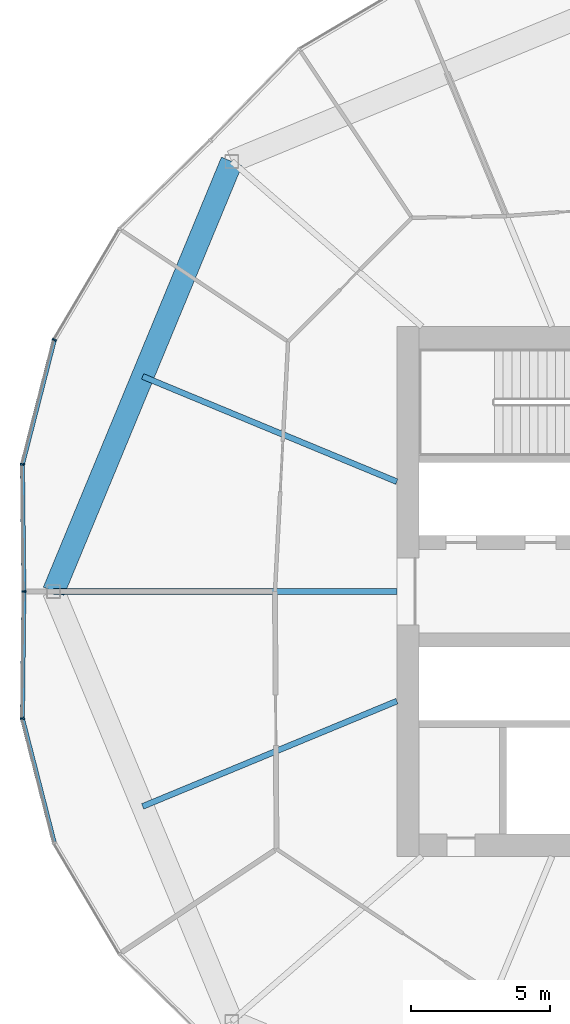
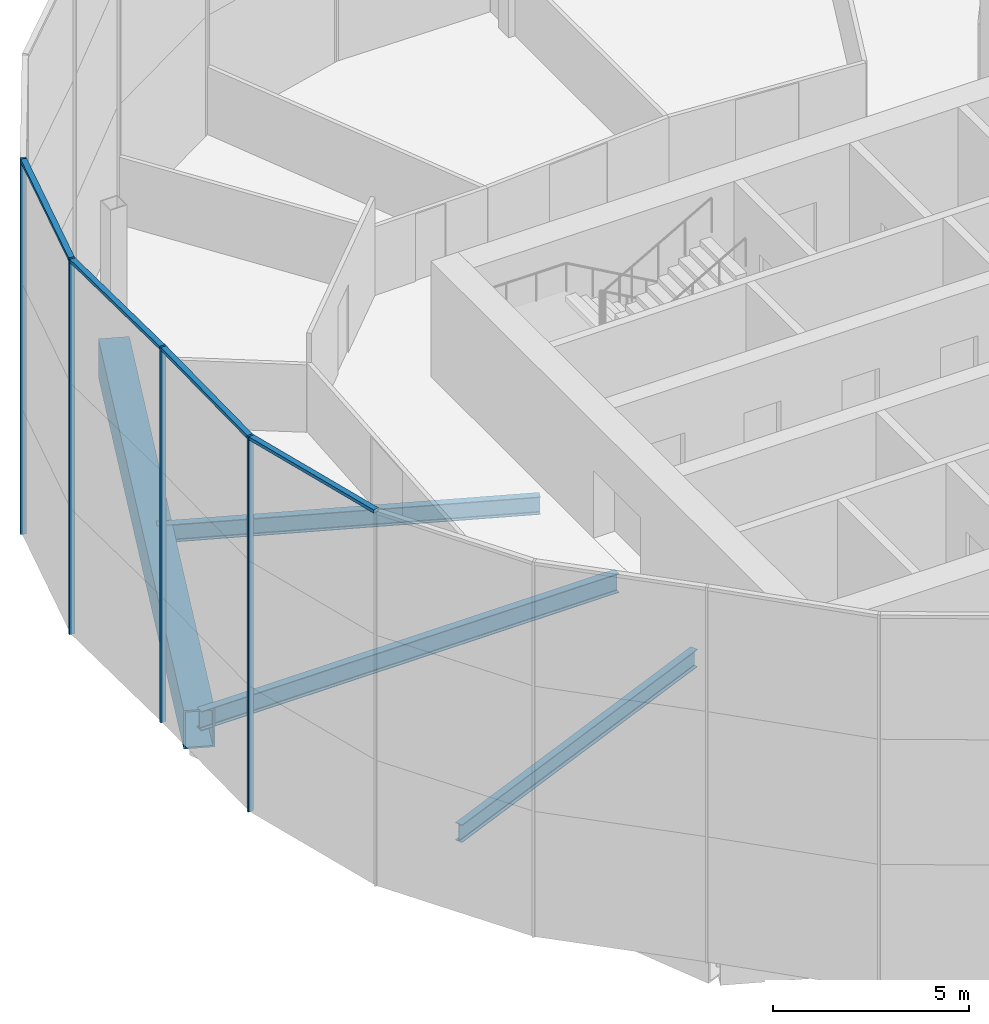
# One storey, part 5 of 25: 8 members, 4 beams, 2 elements without a shape of their own.
"""IFC4 building model written with IfcOpenShell, lengths in metres."""

from ifc_helpers import new_model, si_unit, direction, frame, origin, origin_2d, place, context, subcontext, project, spatial, rectangle, hollow_rectangle, i_section, extrude, material, material_profile, profile_set, type_object, element, aggregate, save


model = new_model("IFC4")

# Units and contexts
model_context = context("Model", 3, precision=1e-05, world=origin(), true_north=direction((0.0, 1.0)))
body_context = subcontext(model_context, "Body", "Model", "MODEL_VIEW")
ifc_project = project(units=[si_unit("LENGTHUNIT", "METRE"), si_unit("AREAUNIT", "SQUARE_METRE"), si_unit("VOLUMEUNIT", "CUBIC_METRE"), si_unit("PLANEANGLEUNIT", "RADIAN"), si_unit("MASSUNIT", "GRAM", prefix="KILO")], contexts=[model_context])

# Site, building, storey
site_placement = place(None, origin())
site = spatial("IfcSite", under=ifc_project, at=site_placement, CompositionType="ELEMENT")
building_placement = place(site_placement, origin())
building = spatial("IfcBuilding", under=site, at=building_placement, Name="Ogive Gate Towers", CompositionType="ELEMENT")
storey_placement = place(building_placement, frame((0.0, 0.0, 44.10009765625)))
storey = spatial("IfcBuildingStorey", under=building, at=storey_placement, Name="L09", CompositionType="ELEMENT", Elevation=44.10009765625)

# Beams
ifc_material_1 = material(Name="Steel SM460", Category="steel")
ifc_material_profile_1 = material_profile(ifc_material_1, hollow_rectangle(XDim=0.800048828125, YDim=1.199951171875, WallThickness=0.050048828125, at=origin_2d()), Name="BX 1200x800x50")
ifc_profile_set_1 = profile_set([ifc_material_profile_1], Name="Steel SM460")
beam_type_1 = type_object("IfcBeamType", Name="Edge girder BX 1200x800x50", PredefinedType="BEAM", material=ifc_profile_set_1)
beam_1_placement = place(storey_placement, frame((-51.422119140625, 15.422119140625, -0.900146484375), z_axis=(-0.382677733282, -0.923881893128, 0.0), x_axis=(0.923881893128, -0.382677733282, 0.0)))
element("IfcBeam", 1, at=beam_1_placement, inside=storey, type_object=beam_type_1, Name="T1/L09/SBM023", PredefinedType="BEAM", context=body_context, shape_type="SweptSolid", body=[
    extrude(hollow_rectangle(XDim=0.800048828125, YDim=1.199951171875, WallThickness=0.050048828125, at=origin_2d()), origin(), (0.0, 0.0, 1.0), 16.692626953125),
])
ifc_material_2 = material(Name="Steel SM355", Category="steel")
ifc_material_profile_2 = material_profile(ifc_material_2, i_section(OverallWidth=0.2099609375, OverallDepth=0.550048828125, WebThickness=0.010986328125, FlangeThickness=0.01708984375, FilletRadius=0.02392578125, at=origin_2d()), Name="IPE 550")
ifc_profile_set_2 = profile_set([ifc_material_profile_2], Name="Steel SM355")
beam_type_2 = type_object("IfcBeamType", Name="Radial floor beam IPE 550", PredefinedType="BEAM", material=ifc_profile_set_2)
for number, where, z_axis, x_axis, name in (
    (2, (-45.5, 3.93505859375, -0.5751953125), (-0.923882333645, 0.38267666976, 0.0), (-0.38267666976, -0.923882333645, 0.0), "T1/L09/SBM014"),
    (3, (-45.5, -3.93505859375, -0.5751953125), (-0.923882333645, -0.38267666976, 0.0), (0.38267666976, -0.923882333645, 0.0), "T1/L09/SBM016"),
):
    element("IfcBeam", number, at=place(storey_placement, frame(where, z_axis=z_axis, x_axis=x_axis)), inside=storey, type_object=beam_type_2, Name=name, PredefinedType="BEAM", context=body_context, shape_type="SweptSolid", body=[
        extrude(i_section(OverallWidth=0.2099609375, OverallDepth=0.550048828125, WebThickness=0.010986328125, FlangeThickness=0.01708984375, FilletRadius=0.02392578125, at=origin_2d()), origin(), (0.0, 0.0, 1.0), 9.866943359375),
    ])
ifc_material_profile_3 = material_profile(ifc_material_2, i_section(OverallWidth=0.219970703125, OverallDepth=0.60009765625, WebThickness=0.011962890625, FlangeThickness=0.01904296875, FilletRadius=0.02392578125, at=origin_2d()), Name="IPE 600")
ifc_profile_set_3 = profile_set([ifc_material_profile_3], Name="Steel SM355")
beam_type_3 = type_object("IfcBeamType", Name="Radial floor beam IPE 600", PredefinedType="BEAM", material=ifc_profile_set_3)
beam_2_placement = place(storey_placement, frame((-45.5, 0.0, -0.60009765625), z_axis=(-1.0, 0.0, 0.0), x_axis=(0.0, -1.0, 0.0)))
element("IfcBeam", 4, at=beam_2_placement, inside=storey, type_object=beam_type_3, Name="T1/L09/SBM015", PredefinedType="BEAM", context=body_context, shape_type="SweptSolid", body=[
    extrude(i_section(OverallWidth=0.219970703125, OverallDepth=0.60009765625, WebThickness=0.011962890625, FlangeThickness=0.01904296875, FilletRadius=0.02392578125, at=origin_2d()), origin(), (0.0, 0.0, 1.0), 12.31005859375),
])

# Curtain wall, members
ifc_material_3 = material(Name="Pale metal aluminium", Category="aluminium")
curtain_wall_type = type_object("IfcCurtainWallType", Name="Tower unitised wall, low zone", PredefinedType="NOTDEFINED", material=ifc_material_3)
curtain_wall_1_placement = place(storey_placement, origin())
curtain_wall_1 = element("IfcCurtainWall", 5, at=curtain_wall_1_placement, inside=storey, type_object=curtain_wall_type, Name="CW1 T1 ECW04", PredefinedType="NOTDEFINED")
ifc_material_profile_4 = material_profile(ifc_material_3, rectangle(XDim=0.159912109375, YDim=0.06005859375, at=origin_2d()), Name="60 x 160 aluminium box")
ifc_profile_set_4 = profile_set([ifc_material_profile_4], Name="Pale metal aluminium")
member_type_1 = type_object("IfcMemberType", Name="Tower unitised wall, low zone mullion 60 x 160", PredefinedType="MULLION", material=ifc_profile_set_4)
member_1_placement = place(storey_placement, frame((-57.785888671875, 9.02392578125, -0.300048828125), z_axis=(0.0, 0.0, 1.0), x_axis=(-0.923879532511, 0.382683432365, 0.0)))
member_1 = element("IfcMember", 6, at=member_1_placement, type_object=member_type_1, Name="CW1 mullion", PredefinedType="MULLION", context=body_context, shape_type="SweptSolid", body=[
    extrude(rectangle(XDim=0.159912109375, YDim=0.06005859375, at=origin_2d()), origin(), (0.0, 0.0, 1.0), 11.699951171875),
])
member_2_placement = place(storey_placement, frame((-58.9326171875, 4.555419921875, -0.300048828125), z_axis=(0.0, 0.0, 1.0), x_axis=(-0.992828457767, 0.119547703651, 0.0)))
member_2 = element("IfcMember", 7, at=member_2_placement, type_object=member_type_1, Name="CW1 mullion", PredefinedType="MULLION", context=body_context, shape_type="SweptSolid", body=[
    extrude(rectangle(XDim=0.159912109375, YDim=0.06005859375, at=origin_2d()), origin(), (0.0, 0.0, 1.0), 11.699951171875),
])
member_3_placement = place(storey_placement, frame((-58.8798828125, 0.000244140625, -0.300048828125), z_axis=(0.0, 0.0, 1.0), x_axis=(-0.99993385595, -0.011501466179, 0.0)))
member_3 = element("IfcMember", 8, at=member_3_placement, type_object=member_type_1, Name="CW1 mullion", PredefinedType="MULLION", context=body_context, shape_type="SweptSolid", body=[
    extrude(rectangle(XDim=0.159912109375, YDim=0.06005859375, at=origin_2d()), origin(), (0.0, 0.0, 1.0), 11.699951171875),
])

# Curtain wall, member
curtain_wall_2_placement = place(storey_placement, origin())
curtain_wall_2 = element("IfcCurtainWall", 9, at=curtain_wall_2_placement, inside=storey, type_object=curtain_wall_type, Name="CW1 T1 ECW05", PredefinedType="NOTDEFINED")
member_4_placement = place(storey_placement, frame((-58.9326171875, -4.555419921875, -0.300048828125), z_axis=(0.0, 0.0, 1.0), x_axis=(-0.992828457767, -0.119547703651, 0.0)))
member_4 = element("IfcMember", 10, at=member_4_placement, type_object=member_type_1, Name="CW1 mullion", PredefinedType="MULLION", context=body_context, shape_type="SweptSolid", body=[
    extrude(rectangle(XDim=0.159912109375, YDim=0.06005859375, at=origin_2d()), origin(), (0.0, 0.0, 1.0), 11.699951171875),
])

# Member
ifc_material_profile_5 = material_profile(ifc_material_3, rectangle(XDim=0.159912109375, YDim=0.10009765625, at=origin_2d()), Name="100 x 160 aluminium box")
ifc_profile_set_5 = profile_set([ifc_material_profile_5], Name="Pale metal aluminium")
member_type_2 = type_object("IfcMemberType", Name="Tower unitised wall, low zone transom 100 x 160", PredefinedType="USERDEFINED", material=ifc_profile_set_5)
member_5_placement = place(storey_placement, frame((-57.79248046875, 8.997802734375, 11.349853515625), z_axis=(-0.248528665272, -0.968624541573, 0.0), x_axis=(0.968624541573, -0.248528665272, 0.0)))
member_5 = element("IfcMember", 11, at=member_5_placement, type_object=member_type_2, Name="CW1 transom", ObjectType="TRANSOM", PredefinedType="USERDEFINED", context=body_context, shape_type="SweptSolid", body=[
    extrude(rectangle(XDim=0.159912109375, YDim=0.10009765625, at=origin_2d()), origin(), (0.0, 0.0, 1.0), 4.55908203125),
])

member_6_placement = place(storey_placement, frame((-58.93212890625, 4.52783203125, 11.349853515625), z_axis=(0.011507217644, -0.999933789779, 0.0), x_axis=(0.999933789779, 0.011507217644, 0.0)))
member_6 = element("IfcMember", 12, at=member_6_placement, type_object=member_type_2, Name="CW1 transom", ObjectType="TRANSOM", PredefinedType="USERDEFINED", context=body_context, shape_type="SweptSolid", body=[
    extrude(rectangle(XDim=0.159912109375, YDim=0.10009765625, at=origin_2d()), origin(), (0.0, 0.0, 1.0), 4.497802734375),
])

aggregate(curtain_wall_1, [member_1, member_2, member_5, member_3, member_6])

member_7_placement = place(storey_placement, frame((-58.88037109375, -0.0302734375, 11.349853515625), z_axis=(-0.011507217644, -0.999933789779, 0.0), x_axis=(0.999933789779, -0.011507217644, 0.0)))
member_7 = element("IfcMember", 13, at=member_7_placement, type_object=member_type_2, Name="CW1 transom", ObjectType="TRANSOM", PredefinedType="USERDEFINED", context=body_context, shape_type="SweptSolid", body=[
    extrude(rectangle(XDim=0.159912109375, YDim=0.10009765625, at=origin_2d()), origin(), (0.0, 0.0, 1.0), 4.497802734375),
])

member_8_placement = place(storey_placement, frame((-58.925537109375, -4.581787109375, 11.349853515625), z_axis=(0.248528665272, -0.968624541573, 0.0), x_axis=(0.968624541573, 0.248528665272, 0.0)))
member_8 = element("IfcMember", 14, at=member_8_placement, type_object=member_type_2, Name="CW1 transom", ObjectType="TRANSOM", PredefinedType="USERDEFINED", context=body_context, shape_type="SweptSolid", body=[
    extrude(rectangle(XDim=0.159912109375, YDim=0.10009765625, at=origin_2d()), origin(), (0.0, 0.0, 1.0), 4.55908203125),
])

aggregate(curtain_wall_2, [member_4, member_7, member_8])

save(model, "model.ifc")
